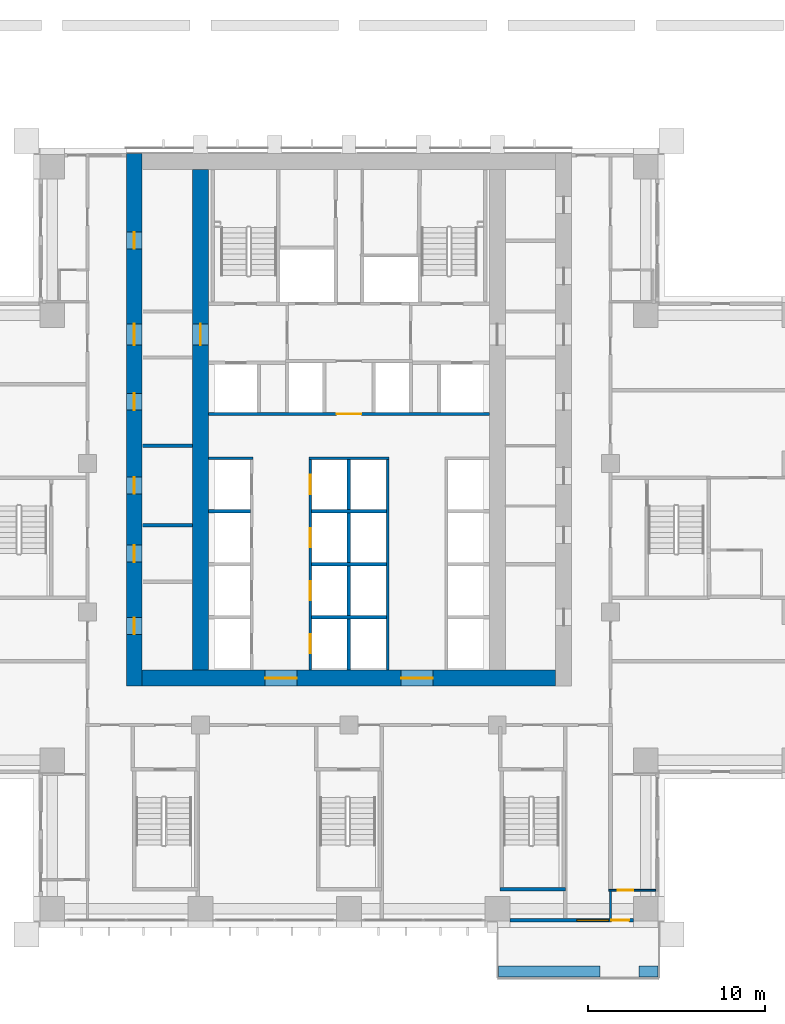
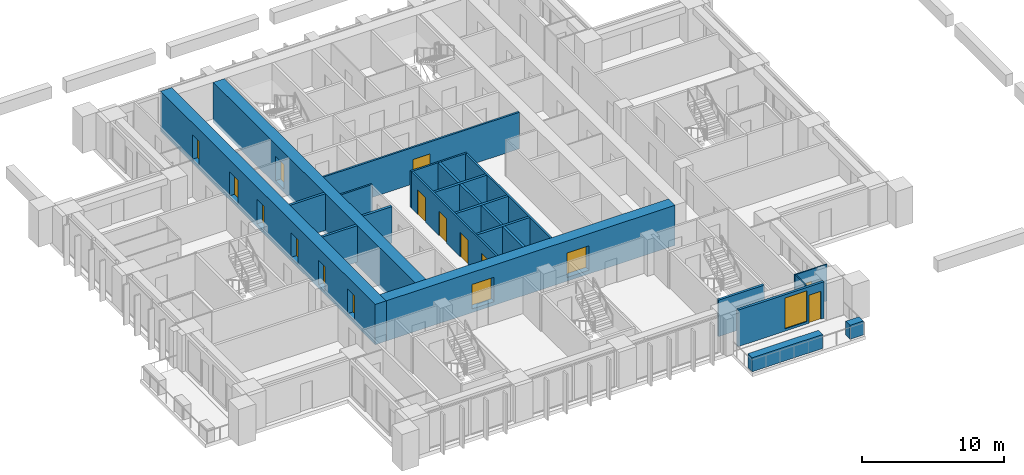
# One storey, part 9 of 18: 21 walls, 16 doors, 1 window, 17 openings.
"""IFC4 building model written with IfcOpenShell, lengths in metres."""

from ifc_helpers import new_model, si_unit, direction, frame, frame_2d, origin, place, context, subcontext, project, spatial, rectangle, extrude, material, layer, layer_set, type_object, element, fill, save


model = new_model("IFC4")

# Units and contexts
model_context = context("Model", 3, precision=1e-05, world=origin(), true_north=direction((0.0, 1.0)))
body_context = subcontext(model_context, "Body", "Model", "MODEL_VIEW")
ifc_project = project(units=[si_unit("LENGTHUNIT", "METRE"), si_unit("AREAUNIT", "SQUARE_METRE"), si_unit("VOLUMEUNIT", "CUBIC_METRE"), si_unit("PLANEANGLEUNIT", "RADIAN"), si_unit("MASSUNIT", "GRAM", prefix="KILO")], contexts=[model_context])

# Site, building, storey
site_placement = place(None, origin())
site = spatial("IfcSite", under=ifc_project, at=site_placement, CompositionType="ELEMENT")
building_placement = place(site_placement, origin())
building = spatial("IfcBuilding", under=site, at=building_placement, Name="Vermilion Ogive Tower", CompositionType="ELEMENT")
storey_placement = place(building_placement, frame((0.0, 0.0, 34.5)))
storey = spatial("IfcBuildingStorey", under=building, at=storey_placement, Name="L06", CompositionType="ELEMENT", Elevation=34.5)

# Wall, openings, doors
ifc_material_1 = material(Name="Concrete B80", Category="concrete")
ifc_layer_1 = layer(ifc_material_1, 0.89990234375)
ifc_layer_set_1 = layer_set([ifc_layer_1], Name="Core wall 900 B80")
wall_type_1 = type_object("IfcWallType", Name="Core wall 900 B80", PredefinedType="SHEAR", material=ifc_layer_set_1)
wall_1_placement = place(storey_placement, frame((-12.14990234375, -8.39990234375, -0.320068359375), z_axis=(0.0, 0.0, 1.0), x_axis=(0.0, 1.0, 0.0)))
wall_1 = element("IfcWall", 1, at=wall_1_placement, inside=storey, type_object=wall_type_1, Name="L06-CORE-W", PredefinedType="SHEAR", context=body_context, shape_type="SweptSolid", body=[
    extrude(rectangle(XDim=30.14990234375, YDim=0.89990234375, at=frame_2d((15.074951171875, 0.0))), origin(), (0.0, 0.0, 1.0), 3.449951171875),
])
opening_1_placement = place(wall_1_placement, frame((2.925048828125, 0.0, 0.320068359375)))
opening_1 = element("IfcOpeningElement", 2, at=opening_1_placement, cuts=wall_1, Name="Opening DAD001", PredefinedType="OPENING", context=body_context, shape_type="SweptSolid", body=[
    extrude(rectangle(XDim=0.949951171875, YDim=2.10009765625, at=frame_2d((0.47509765625, 1.050048828125))), frame((0.0, 0.4599609375, 0.0), z_axis=(0.0, -1.0, 0.0), x_axis=(1.0, 0.0, 0.0)), (0.0, 0.0, 1.0), 0.919921875),
])
opening_2_placement = place(wall_1_placement, frame((7.02490234375, 0.0, 0.320068359375)))
opening_2 = element("IfcOpeningElement", 3, at=opening_2_placement, cuts=wall_1, Name="Opening DAD002", PredefinedType="OPENING", context=body_context, shape_type="SweptSolid", body=[
    extrude(rectangle(XDim=0.949951171875, YDim=2.10009765625, at=frame_2d((0.47509765625, 1.050048828125))), frame((0.0, 0.4599609375, 0.0), z_axis=(0.0, -1.0, 0.0), x_axis=(1.0, 0.0, 0.0)), (0.0, 0.0, 1.0), 0.919921875),
])
opening_3_placement = place(wall_1_placement, frame((10.875, 0.0, 0.320068359375)))
opening_3 = element("IfcOpeningElement", 4, at=opening_3_placement, cuts=wall_1, Name="Opening DAD003", PredefinedType="OPENING", context=body_context, shape_type="SweptSolid", body=[
    extrude(rectangle(XDim=0.949951171875, YDim=2.10009765625, at=frame_2d((0.47509765625, 1.050048828125))), frame((0.0, 0.4599609375, 0.0), z_axis=(0.0, -1.0, 0.0), x_axis=(1.0, 0.0, 0.0)), (0.0, 0.0, 1.0), 0.919921875),
])
opening_4_placement = place(wall_1_placement, frame((15.625, 0.0, 0.320068359375)))
opening_4 = element("IfcOpeningElement", 5, at=opening_4_placement, cuts=wall_1, Name="Opening DAD004", PredefinedType="OPENING", context=body_context, shape_type="SweptSolid", body=[
    extrude(rectangle(XDim=0.949951171875, YDim=2.10009765625, at=frame_2d((0.47509765625, 1.050048828125))), frame((0.0, 0.4599609375, 0.0), z_axis=(0.0, -1.0, 0.0), x_axis=(1.0, 0.0, 0.0)), (0.0, 0.0, 1.0), 0.919921875),
])
opening_5_placement = place(wall_1_placement, frame((24.75, 0.0, 0.320068359375)))
opening_5 = element("IfcOpeningElement", 6, at=opening_5_placement, cuts=wall_1, Name="Opening DAD005", PredefinedType="OPENING", context=body_context, shape_type="SweptSolid", body=[
    extrude(rectangle(XDim=0.949951171875, YDim=2.10009765625, at=frame_2d((0.47509765625, 1.050048828125))), frame((0.0, 0.4599609375, 0.0), z_axis=(0.0, -1.0, 0.0), x_axis=(1.0, 0.0, 0.0)), (0.0, 0.0, 1.0), 0.919921875),
])
opening_6_placement = place(wall_1_placement, frame((19.300048828125, 0.0, 0.320068359375)))
opening_6 = element("IfcOpeningElement", 7, at=opening_6_placement, cuts=wall_1, Name="Opening DAM001", PredefinedType="OPENING", context=body_context, shape_type="SweptSolid", body=[
    extrude(rectangle(XDim=1.199951171875, YDim=2.10009765625, at=frame_2d((0.60009765625, 1.050048828125))), frame((0.0, 0.4599609375, 0.0), z_axis=(0.0, -1.0, 0.0), x_axis=(1.0, 0.0, 0.0)), (0.0, 0.0, 1.0), 0.919921875),
])
ifc_material_2 = material(Name="Timber door leaf", Category="wood")
door_type_1 = type_object("IfcDoorType", Name="Link door 1200 x 2100 FD60S", OperationType="SINGLE_SWING_LEFT", PredefinedType="DOOR", material=ifc_material_2)
door_1_placement = place(opening_6_placement, origin())
door_1 = element("IfcDoor", 8, at=door_1_placement, inside=storey, type_object=door_type_1, Name="L06-CKW-XL", OperationType="SINGLE_SWING_LEFT", OverallHeight=2.10009765625, OverallWidth=1.199951171875, PredefinedType="DOOR", context=body_context, shape_type="SweptSolid", body=[
    extrude(rectangle(XDim=1.199951171875, YDim=2.10009765625, at=frame_2d((0.60009765625, 1.050048828125))), frame((0.0, 0.02490234375, 0.0), z_axis=(0.0, -1.0, 0.0), x_axis=(1.0, 0.0, 0.0)), (0.0, 0.0, 1.0), 0.050048828125),
])
fill(opening_6, door_1)
ifc_material_3 = material(Name="Timber door leaf", Category="wood")
door_type_2 = type_object("IfcDoorType", Name="Service door 950 x 2100 FD60", OperationType="SINGLE_SWING_LEFT", PredefinedType="DOOR", material=ifc_material_3)
door_2_placement = place(opening_1_placement, origin())
door_2 = element("IfcDoor", 9, at=door_2_placement, inside=storey, type_object=door_type_2, Name="L06-CKW-XR0", OperationType="SINGLE_SWING_LEFT", OverallHeight=2.10009765625, OverallWidth=0.949951171875, PredefinedType="DOOR", context=body_context, shape_type="SweptSolid", body=[
    extrude(rectangle(XDim=0.949951171875, YDim=2.10009765625, at=frame_2d((0.47509765625, 1.050048828125))), frame((0.0, 0.02490234375, 0.0), z_axis=(0.0, -1.0, 0.0), x_axis=(1.0, 0.0, 0.0)), (0.0, 0.0, 1.0), 0.050048828125),
])
fill(opening_1, door_2)
door_3_placement = place(opening_2_placement, origin())
door_3 = element("IfcDoor", 10, at=door_3_placement, inside=storey, type_object=door_type_2, Name="L06-CKW-XR1", OperationType="SINGLE_SWING_LEFT", OverallHeight=2.10009765625, OverallWidth=0.949951171875, PredefinedType="DOOR", context=body_context, shape_type="SweptSolid", body=[
    extrude(rectangle(XDim=0.949951171875, YDim=2.10009765625, at=frame_2d((0.47509765625, 1.050048828125))), frame((0.0, 0.02490234375, 0.0), z_axis=(0.0, -1.0, 0.0), x_axis=(1.0, 0.0, 0.0)), (0.0, 0.0, 1.0), 0.050048828125),
])
fill(opening_2, door_3)
door_4_placement = place(opening_3_placement, origin())
door_4 = element("IfcDoor", 11, at=door_4_placement, inside=storey, type_object=door_type_2, Name="L06-CKW-XR2", OperationType="SINGLE_SWING_LEFT", OverallHeight=2.10009765625, OverallWidth=0.949951171875, PredefinedType="DOOR", context=body_context, shape_type="SweptSolid", body=[
    extrude(rectangle(XDim=0.949951171875, YDim=2.10009765625, at=frame_2d((0.47509765625, 1.050048828125))), frame((0.0, 0.02490234375, 0.0), z_axis=(0.0, -1.0, 0.0), x_axis=(1.0, 0.0, 0.0)), (0.0, 0.0, 1.0), 0.050048828125),
])
fill(opening_3, door_4)
door_5_placement = place(opening_4_placement, origin())
door_5 = element("IfcDoor", 12, at=door_5_placement, inside=storey, type_object=door_type_2, Name="L06-CKW-XR3", OperationType="SINGLE_SWING_LEFT", OverallHeight=2.10009765625, OverallWidth=0.949951171875, PredefinedType="DOOR", context=body_context, shape_type="SweptSolid", body=[
    extrude(rectangle(XDim=0.949951171875, YDim=2.10009765625, at=frame_2d((0.47509765625, 1.050048828125))), frame((0.0, 0.02490234375, 0.0), z_axis=(0.0, -1.0, 0.0), x_axis=(1.0, 0.0, 0.0)), (0.0, 0.0, 1.0), 0.050048828125),
])
fill(opening_4, door_5)
door_6_placement = place(opening_5_placement, origin())
door_6 = element("IfcDoor", 13, at=door_6_placement, inside=storey, type_object=door_type_2, Name="L06-CKW-XR4", OperationType="SINGLE_SWING_LEFT", OverallHeight=2.10009765625, OverallWidth=0.949951171875, PredefinedType="DOOR", context=body_context, shape_type="SweptSolid", body=[
    extrude(rectangle(XDim=0.949951171875, YDim=2.10009765625, at=frame_2d((0.47509765625, 1.050048828125))), frame((0.0, 0.02490234375, 0.0), z_axis=(0.0, -1.0, 0.0), x_axis=(1.0, 0.0, 0.0)), (0.0, 0.0, 1.0), 0.050048828125),
])
fill(opening_5, door_6)

wall_2_placement = place(storey_placement, frame((-11.699951171875, -7.949951171875, -0.320068359375), z_axis=(0.0, 0.0, 1.0), x_axis=(1.0, 0.0, 0.0)))
wall_2 = element("IfcWall", 14, at=wall_2_placement, inside=storey, type_object=wall_type_1, Name="L06-CORE-S", PredefinedType="SHEAR", context=body_context, shape_type="SweptSolid", body=[
    extrude(rectangle(XDim=23.39990234375, YDim=0.89990234375, at=frame_2d((11.699951171875, 0.0))), origin(), (0.0, 0.0, 1.0), 3.449951171875),
])
opening_7_placement = place(wall_2_placement, frame((6.949951171875, 0.0, 0.320068359375)))
opening_7 = element("IfcOpeningElement", 15, at=opening_7_placement, cuts=wall_2, Name="Opening DAH001", PredefinedType="OPENING", context=body_context, shape_type="SweptSolid", body=[
    extrude(rectangle(XDim=1.800048828125, YDim=2.10009765625, at=frame_2d((0.89990234375, 1.050048828125))), frame((0.0, 0.4599609375, 0.0), z_axis=(0.0, -1.0, 0.0), x_axis=(1.0, 0.0, 0.0)), (0.0, 0.0, 1.0), 0.919921875),
])
opening_8_placement = place(wall_2_placement, frame((14.64990234375, 0.0, 0.320068359375)))
opening_8 = element("IfcOpeningElement", 16, at=opening_8_placement, cuts=wall_2, Name="Opening DAH002", PredefinedType="OPENING", context=body_context, shape_type="SweptSolid", body=[
    extrude(rectangle(XDim=1.800048828125, YDim=2.10009765625, at=frame_2d((0.89990234375, 1.050048828125))), frame((0.0, 0.4599609375, 0.0), z_axis=(0.0, -1.0, 0.0), x_axis=(1.0, 0.0, 0.0)), (0.0, 0.0, 1.0), 0.919921875),
])
ifc_material_4 = material(Name="Timber door leaf", Category="wood")
door_type_3 = type_object("IfcDoorType", Name="Core entry door 1800 x 2100 FD60S", OperationType="DOUBLE_DOOR_SINGLE_SWING", PredefinedType="DOOR", material=ifc_material_4)
door_7_placement = place(opening_7_placement, origin())
door_7 = element("IfcDoor", 17, at=door_7_placement, inside=storey, type_object=door_type_3, Name="L06-CK-XD1", OperationType="SINGLE_SWING_LEFT", OverallHeight=2.10009765625, OverallWidth=1.800048828125, PredefinedType="DOOR", context=body_context, shape_type="SweptSolid", body=[
    extrude(rectangle(XDim=1.800048828125, YDim=2.10009765625, at=frame_2d((0.89990234375, 1.050048828125))), frame((0.0, 0.02490234375, 0.0), z_axis=(0.0, -1.0, 0.0), x_axis=(1.0, 0.0, 0.0)), (0.0, 0.0, 1.0), 0.050048828125),
])
fill(opening_7, door_7)
door_8_placement = place(opening_8_placement, origin())
door_8 = element("IfcDoor", 18, at=door_8_placement, inside=storey, type_object=door_type_3, Name="L06-CK-XD2", OperationType="SINGLE_SWING_LEFT", OverallHeight=2.10009765625, OverallWidth=1.800048828125, PredefinedType="DOOR", context=body_context, shape_type="SweptSolid", body=[
    extrude(rectangle(XDim=1.800048828125, YDim=2.10009765625, at=frame_2d((0.89990234375, 1.050048828125))), frame((0.0, 0.02490234375, 0.0), z_axis=(0.0, -1.0, 0.0), x_axis=(1.0, 0.0, 0.0)), (0.0, 0.0, 1.0), 0.050048828125),
])
fill(opening_8, door_8)

# Wall, opening, door
wall_3_placement = place(storey_placement, frame((-8.39990234375, -7.5, -0.320068359375), z_axis=(0.0, 0.0, 1.0), x_axis=(0.0, 1.0, 0.0)))
wall_3 = element("IfcWall", 19, at=wall_3_placement, inside=storey, type_object=wall_type_1, Name="L06-CORE-WEB1", PredefinedType="SHEAR", context=body_context, shape_type="SweptSolid", body=[
    extrude(rectangle(XDim=28.35009765625, YDim=0.89990234375, at=frame_2d((14.175048828125, 0.0))), origin(), (0.0, 0.0, 1.0), 3.449951171875),
])
opening_9_placement = place(wall_3_placement, frame((18.39990234375, 0.0, 0.320068359375)))
opening_9 = element("IfcOpeningElement", 20, at=opening_9_placement, cuts=wall_3, Name="Opening DAP001", PredefinedType="OPENING", context=body_context, shape_type="SweptSolid", body=[
    extrude(rectangle(XDim=1.199951171875, YDim=2.10009765625, at=frame_2d((0.60009765625, 1.050048828125))), frame((0.0, 0.4599609375, 0.0), z_axis=(0.0, -1.0, 0.0), x_axis=(1.0, 0.0, 0.0)), (0.0, 0.0, 1.0), 0.919921875),
])
door_9_placement = place(opening_9_placement, origin())
door_9 = element("IfcDoor", 21, at=door_9_placement, inside=storey, type_object=door_type_1, Name="L06-CKW-XW", OperationType="SINGLE_SWING_LEFT", OverallHeight=2.10009765625, OverallWidth=1.199951171875, PredefinedType="DOOR", context=body_context, shape_type="SweptSolid", body=[
    extrude(rectangle(XDim=1.199951171875, YDim=2.10009765625, at=frame_2d((0.60009765625, 1.050048828125))), frame((0.0, 0.02490234375, 0.0), z_axis=(0.0, -1.0, 0.0), x_axis=(1.0, 0.0, 0.0)), (0.0, 0.0, 1.0), 0.050048828125),
])
fill(opening_9, door_9)

ifc_material_5 = material(Name="Gypsum board partition on steel studs", Category="steel")
ifc_layer_2 = layer(ifc_material_5, 0.10009765625)
ifc_layer_set_2 = layer_set([ifc_layer_2], Name="Partition 100 bath")
wall_type_2 = type_object("IfcWallType", Name="Partition 100 bath", PredefinedType="PARTITIONING", material=ifc_layer_set_2)
wall_4_placement = place(storey_placement, frame((14.699951171875, -19.949951171875, 0.0), z_axis=(0.0, 0.0, 1.0), x_axis=(1.0, 0.0, 0.0)))
wall_4 = element("IfcWall", 22, at=wall_4_placement, inside=storey, type_object=wall_type_2, Name="L06-W-W001", PredefinedType="PARTITIONING", context=body_context, shape_type="SweptSolid", body=[
    extrude(rectangle(XDim=2.650146484375, YDim=0.10009765625, at=frame_2d((1.3251953125, 0.0))), origin(), (0.0, 0.0, 1.0), 3.1298828125),
])
opening_10_placement = place(wall_4_placement, frame((0.525146484375, 0.0, 0.0)))
opening_10 = element("IfcOpeningElement", 23, at=opening_10_placement, cuts=wall_4, Name="Opening D1G1016", PredefinedType="OPENING", context=body_context, shape_type="SweptSolid", body=[
    extrude(rectangle(XDim=0.85009765625, YDim=2.10009765625, at=frame_2d((0.425048828125, 1.050048828125))), frame((0.0, 0.06005859375, 0.0), z_axis=(0.0, -1.0, 0.0), x_axis=(1.0, 0.0, 0.0)), (0.0, 0.0, 1.0), 0.1201171875),
])
ifc_material_6 = material(Name="Timber door leaf", Category="wood")
door_type_4 = type_object("IfcDoorType", Name="Bath door 850 x 2100 FD30", OperationType="SINGLE_SWING_LEFT", PredefinedType="DOOR", material=ifc_material_6)
door_10_placement = place(opening_10_placement, origin())
door_10 = element("IfcDoor", 24, at=door_10_placement, inside=storey, type_object=door_type_4, Name="L06-D-D016", OperationType="SINGLE_SWING_LEFT", OverallHeight=2.10009765625, OverallWidth=0.85009765625, PredefinedType="DOOR", context=body_context, shape_type="SweptSolid", body=[
    extrude(rectangle(XDim=0.85009765625, YDim=2.10009765625, at=frame_2d((0.425048828125, 1.050048828125))), frame((0.0, 0.02490234375, 0.0), z_axis=(0.0, -1.0, 0.0), x_axis=(1.0, 0.0, 0.0)), (0.0, 0.0, 1.0), 0.050048828125),
])
fill(opening_10, door_10)

# Walls
wall_5_placement = place(storey_placement, frame((14.800048828125, -21.550048828125, 0.0), z_axis=(0.0, 0.0, 1.0), x_axis=(0.0, 1.0, 0.0)))
element("IfcWall", 25, at=wall_5_placement, inside=storey, type_object=wall_type_2, Name="L06-W-W057", PredefinedType="PARTITIONING", context=body_context, shape_type="SweptSolid", body=[
    extrude(rectangle(XDim=1.550048828125, YDim=0.10009765625, at=frame_2d((0.77490234375, 0.0))), origin(), (0.0, 0.0, 1.0), 3.1298828125),
])
ifc_material_7 = material(Name="Gypsum board partition on steel studs", Category="steel")
ifc_layer_3 = layer(ifc_material_7, 0.14990234375)
ifc_layer_set_3 = layer_set([ifc_layer_3], Name="Partition 150 corridor")
wall_type_3 = type_object("IfcWallType", Name="Partition 150 corridor", PredefinedType="PARTITIONING", material=ifc_layer_set_3)
wall_6_placement = place(storey_placement, frame((-7.948974609375, 4.5, 0.0), z_axis=(0.0, 0.0, 1.0), x_axis=(1.0, 0.0, 0.0)))
element("IfcWall", 26, at=wall_6_placement, inside=storey, type_object=wall_type_3, Name="L06-CK-W-W010", PredefinedType="PARTITIONING", context=body_context, shape_type="SweptSolid", body=[
    extrude(rectangle(XDim=2.52392578125, YDim=0.14990234375, at=frame_2d((1.261962890625, 0.0))), origin(), (0.0, 0.0, 1.0), 3.1298828125),
])
wall_7_placement = place(storey_placement, frame((-2.27490234375, 4.5, 0.0), z_axis=(0.0, 0.0, 1.0), x_axis=(1.0, 0.0, 0.0)))
element("IfcWall", 27, at=wall_7_placement, inside=storey, type_object=wall_type_3, Name="L06-CK-W-W011", PredefinedType="PARTITIONING", context=body_context, shape_type="SweptSolid", body=[
    extrude(rectangle(XDim=4.5498046875, YDim=0.14990234375, at=frame_2d((2.27490234375, 0.0))), origin(), (0.0, 0.0, 1.0), 3.1298828125),
])

# Wall, opening, door
wall_8_placement = place(storey_placement, frame((-7.948974609375, 7.0, 0.0), z_axis=(0.0, 0.0, 1.0), x_axis=(1.0, 0.0, 0.0)))
wall_8 = element("IfcWall", 28, at=wall_8_placement, inside=storey, type_object=wall_type_3, Name="L06-CK-W-W013", PredefinedType="PARTITIONING", context=body_context, shape_type="SweptSolid", body=[
    extrude(rectangle(XDim=15.89794921875, YDim=0.14990234375, at=frame_2d((7.948974609375, 0.0))), origin(), (0.0, 0.0, 1.0), 3.1298828125),
])
opening_11_placement = place(wall_8_placement, frame((7.2490234375, 0.0, 0.0)))
opening_11 = element("IfcOpeningElement", 29, at=opening_11_placement, cuts=wall_8, Name="Opening DAA003", PredefinedType="OPENING", context=body_context, shape_type="SweptSolid", body=[
    extrude(rectangle(XDim=1.39990234375, YDim=2.10009765625, at=frame_2d((0.699951171875, 1.050048828125))), frame((0.0, 0.0849609375, 0.0), z_axis=(0.0, -1.0, 0.0), x_axis=(1.0, 0.0, 0.0)), (0.0, 0.0, 1.0), 0.169921875),
])
ifc_material_8 = material(Name="Timber door leaf", Category="wood")
door_type_5 = type_object("IfcDoorType", Name="Lobby door 1400 x 2100 FD60S", OperationType="SINGLE_SWING_LEFT", PredefinedType="DOOR", material=ifc_material_8)
door_11_placement = place(opening_11_placement, origin())
door_11 = element("IfcDoor", 30, at=door_11_placement, inside=storey, type_object=door_type_5, Name="L06-CK-D-D013", OperationType="SINGLE_SWING_RIGHT", OverallHeight=2.10009765625, OverallWidth=1.39990234375, PredefinedType="DOOR", context=body_context, shape_type="SweptSolid", body=[
    extrude(rectangle(XDim=1.39990234375, YDim=2.10009765625, at=frame_2d((0.699951171875, 1.050048828125))), frame((0.0, 0.02490234375, 0.0), z_axis=(0.0, -1.0, 0.0), x_axis=(1.0, 0.0, 0.0)), (0.0, 0.0, 1.0), 0.050048828125),
])
fill(opening_11, door_11)

# Wall, openings, doors
wall_9_placement = place(storey_placement, frame((-2.199951171875, -7.4990234375, 0.0), z_axis=(0.0, 0.0, 1.0), x_axis=(0.0, 1.0, 0.0)))
wall_9 = element("IfcWall", 31, at=wall_9_placement, inside=storey, type_object=wall_type_3, Name="L06-CK-W-W027", PredefinedType="PARTITIONING", context=body_context, shape_type="SweptSolid", body=[
    extrude(rectangle(XDim=11.924072265625, YDim=0.14990234375, at=frame_2d((5.9619140625, 0.0))), origin(), (0.0, 0.0, 1.0), 3.1298828125),
])
opening_12_placement = place(wall_9_placement, frame((0.948974609375, 0.0, 0.0)))
opening_12 = element("IfcOpeningElement", 32, at=opening_12_placement, cuts=wall_9, Name="Opening DAA016", PredefinedType="OPENING", context=body_context, shape_type="SweptSolid", body=[
    extrude(rectangle(XDim=1.10009765625, YDim=2.10009765625, at=frame_2d((0.550048828125, 1.050048828125))), frame((0.0, 0.0849609375, 0.0), z_axis=(0.0, -1.0, 0.0), x_axis=(1.0, 0.0, 0.0)), (0.0, 0.0, 1.0), 0.169921875),
])
opening_13_placement = place(wall_9_placement, frame((3.948974609375, 0.0, 0.0)))
opening_13 = element("IfcOpeningElement", 33, at=opening_13_placement, cuts=wall_9, Name="Opening DAA017", PredefinedType="OPENING", context=body_context, shape_type="SweptSolid", body=[
    extrude(rectangle(XDim=1.10009765625, YDim=2.10009765625, at=frame_2d((0.550048828125, 1.050048828125))), frame((0.0, 0.0849609375, 0.0), z_axis=(0.0, -1.0, 0.0), x_axis=(1.0, 0.0, 0.0)), (0.0, 0.0, 1.0), 0.169921875),
])
opening_14_placement = place(wall_9_placement, frame((6.948974609375, 0.0, 0.0)))
opening_14 = element("IfcOpeningElement", 34, at=opening_14_placement, cuts=wall_9, Name="Opening DAA018", PredefinedType="OPENING", context=body_context, shape_type="SweptSolid", body=[
    extrude(rectangle(XDim=1.10009765625, YDim=2.10009765625, at=frame_2d((0.550048828125, 1.050048828125))), frame((0.0, 0.0849609375, 0.0), z_axis=(0.0, -1.0, 0.0), x_axis=(1.0, 0.0, 0.0)), (0.0, 0.0, 1.0), 0.169921875),
])
opening_15_placement = place(wall_9_placement, frame((9.948974609375, 0.0, 0.0)))
opening_15 = element("IfcOpeningElement", 35, at=opening_15_placement, cuts=wall_9, Name="Opening DAA019", PredefinedType="OPENING", context=body_context, shape_type="SweptSolid", body=[
    extrude(rectangle(XDim=1.10009765625, YDim=2.10009765625, at=frame_2d((0.550048828125, 1.050048828125))), frame((0.0, 0.0849609375, 0.0), z_axis=(0.0, -1.0, 0.0), x_axis=(1.0, 0.0, 0.0)), (0.0, 0.0, 1.0), 0.169921875),
])
ifc_material_9 = material(Name="Stainless steel", Category="steel")
door_type_6 = type_object("IfcDoorType", Name="Lift landing door 1100 x 2100", OperationType="SLIDING_TO_LEFT", PredefinedType="DOOR", material=ifc_material_9)
door_12_placement = place(opening_12_placement, origin())
door_12 = element("IfcDoor", 36, at=door_12_placement, inside=storey, type_object=door_type_6, Name="L06-CK-D-D005", OperationType="SLIDING_TO_RIGHT", OverallHeight=2.10009765625, OverallWidth=1.10009765625, PredefinedType="DOOR", context=body_context, shape_type="SweptSolid", body=[
    extrude(rectangle(XDim=1.10009765625, YDim=2.10009765625, at=frame_2d((0.550048828125, 1.050048828125))), frame((0.0, 0.02490234375, 0.0), z_axis=(0.0, -1.0, 0.0), x_axis=(1.0, 0.0, 0.0)), (0.0, 0.0, 1.0), 0.050048828125),
])
fill(opening_12, door_12)
door_13_placement = place(opening_13_placement, origin())
door_13 = element("IfcDoor", 37, at=door_13_placement, inside=storey, type_object=door_type_6, Name="L06-CK-D-D006", OperationType="SLIDING_TO_RIGHT", OverallHeight=2.10009765625, OverallWidth=1.10009765625, PredefinedType="DOOR", context=body_context, shape_type="SweptSolid", body=[
    extrude(rectangle(XDim=1.10009765625, YDim=2.10009765625, at=frame_2d((0.550048828125, 1.050048828125))), frame((0.0, 0.02490234375, 0.0), z_axis=(0.0, -1.0, 0.0), x_axis=(1.0, 0.0, 0.0)), (0.0, 0.0, 1.0), 0.050048828125),
])
fill(opening_13, door_13)
door_14_placement = place(opening_14_placement, origin())
door_14 = element("IfcDoor", 38, at=door_14_placement, inside=storey, type_object=door_type_6, Name="L06-CK-D-D007", OperationType="SLIDING_TO_RIGHT", OverallHeight=2.10009765625, OverallWidth=1.10009765625, PredefinedType="DOOR", context=body_context, shape_type="SweptSolid", body=[
    extrude(rectangle(XDim=1.10009765625, YDim=2.10009765625, at=frame_2d((0.550048828125, 1.050048828125))), frame((0.0, 0.02490234375, 0.0), z_axis=(0.0, -1.0, 0.0), x_axis=(1.0, 0.0, 0.0)), (0.0, 0.0, 1.0), 0.050048828125),
])
fill(opening_14, door_14)
door_15_placement = place(opening_15_placement, origin())
door_15 = element("IfcDoor", 39, at=door_15_placement, inside=storey, type_object=door_type_6, Name="L06-CK-D-D008", OperationType="SLIDING_TO_RIGHT", OverallHeight=2.10009765625, OverallWidth=1.10009765625, PredefinedType="DOOR", context=body_context, shape_type="SweptSolid", body=[
    extrude(rectangle(XDim=1.10009765625, YDim=2.10009765625, at=frame_2d((0.550048828125, 1.050048828125))), frame((0.0, 0.02490234375, 0.0), z_axis=(0.0, -1.0, 0.0), x_axis=(1.0, 0.0, 0.0)), (0.0, 0.0, 1.0), 0.050048828125),
])
fill(opening_15, door_15)

# Walls
wall_10_placement = place(storey_placement, frame((2.199951171875, -7.4990234375, 0.0), z_axis=(0.0, 0.0, 1.0), x_axis=(0.0, 1.0, 0.0)))
element("IfcWall", 40, at=wall_10_placement, inside=storey, type_object=wall_type_3, Name="L06-CK-W-W034", PredefinedType="PARTITIONING", context=body_context, shape_type="SweptSolid", body=[
    extrude(rectangle(XDim=11.924072265625, YDim=0.14990234375, at=frame_2d((5.9619140625, 0.0))), origin(), (0.0, 0.0, 1.0), 3.1298828125),
])
ifc_material_10 = material(Name="Gypsum board partition on steel studs", Category="steel")
ifc_layer_4 = layer(ifc_material_10, 0.199951171875)
ifc_layer_set_4 = layer_set([ifc_layer_4], Name="Partition 200 party")
wall_type_4 = type_object("IfcWallType", Name="Partition 200 party", PredefinedType="PARTITIONING", material=ifc_layer_set_4)
for number, where, z_axis, x_axis, name in (
    (41, (-2.125, -4.5, 0.0), (0.0, 0.0, 1.0), (1.0, 0.0, 0.0), "L06-CK-W-W002"),
    (42, (-2.125, -1.5, 0.0), (0.0, 0.0, 1.0), (1.0, 0.0, 0.0), "L06-CK-W-W005"),
):
    element("IfcWall", number, at=place(storey_placement, frame(where, z_axis=z_axis, x_axis=x_axis)), inside=storey, type_object=wall_type_4, Name=name, PredefinedType="PARTITIONING", context=body_context, shape_type="SweptSolid", body=[
        extrude(rectangle(XDim=4.25, YDim=0.199951171875, at=frame_2d((2.125, 0.0))), origin(), (0.0, 0.0, 1.0), 3.1298828125),
    ])
wall_11_placement = place(storey_placement, frame((-7.948974609375, 1.5, 0.0), z_axis=(0.0, 0.0, 1.0), x_axis=(1.0, 0.0, 0.0)))
element("IfcWall", 43, at=wall_11_placement, inside=storey, type_object=wall_type_4, Name="L06-CK-W-W007", PredefinedType="PARTITIONING", context=body_context, shape_type="SweptSolid", body=[
    extrude(rectangle(XDim=2.3740234375, YDim=0.199951171875, at=frame_2d((1.18701171875, 0.0))), origin(), (0.0, 0.0, 1.0), 3.1298828125),
])
wall_12_placement = place(storey_placement, frame((-2.125, 1.5, 0.0), z_axis=(0.0, 0.0, 1.0), x_axis=(1.0, 0.0, 0.0)))
element("IfcWall", 44, at=wall_12_placement, inside=storey, type_object=wall_type_4, Name="L06-CK-W-W008", PredefinedType="PARTITIONING", context=body_context, shape_type="SweptSolid", body=[
    extrude(rectangle(XDim=4.25, YDim=0.199951171875, at=frame_2d((2.125, 0.0))), origin(), (0.0, 0.0, 1.0), 3.1298828125),
])
wall_13_placement = place(storey_placement, frame((0.0, -7.4990234375, 0.0), z_axis=(0.0, 0.0, 1.0), x_axis=(0.0, 1.0, 0.0)))
element("IfcWall", 45, at=wall_13_placement, inside=storey, type_object=wall_type_4, Name="L06-CK-W-W030", PredefinedType="PARTITIONING", context=body_context, shape_type="SweptSolid", body=[
    extrude(rectangle(XDim=11.924072265625, YDim=0.199951171875, at=frame_2d((5.9619140625, 0.0))), origin(), (0.0, 0.0, 1.0), 3.1298828125),
])
for number, where, z_axis, x_axis, name in (
    (46, (-11.698974609375, 0.699951171875, 0.0), (0.0, 0.0, 1.0), (1.0, 0.0, 0.0), "L06-CKW-W-W002"),
    (47, (-11.698974609375, 5.199951171875, 0.0), (0.0, 0.0, 1.0), (1.0, 0.0, 0.0), "L06-CKW-W-W003"),
):
    element("IfcWall", number, at=place(storey_placement, frame(where, z_axis=z_axis, x_axis=x_axis)), inside=storey, type_object=wall_type_4, Name=name, PredefinedType="PARTITIONING", context=body_context, shape_type="SweptSolid", body=[
        extrude(rectangle(XDim=2.847900390625, YDim=0.199951171875, at=frame_2d((1.423828125, 0.0))), origin(), (0.0, 0.0, 1.0), 3.1298828125),
    ])
ifc_material_11 = material(Name="Concrete B60", Category="concrete")
ifc_layer_5 = layer(ifc_material_11, 0.199951171875)
ifc_layer_set_5 = layer_set([ifc_layer_5], Name="Stair shaft wall 200 Concrete B60")
wall_type_5 = type_object("IfcWallType", Name="Stair shaft wall 200 Concrete B60", PredefinedType="SOLIDWALL", material=ifc_layer_set_5)
wall_14_placement = place(storey_placement, frame((8.552001953125, -19.89990234375, 0.0), z_axis=(0.0, 0.0, 1.0), x_axis=(1.0, 0.0, 0.0)))
element("IfcWall", 48, at=wall_14_placement, inside=storey, type_object=wall_type_5, Name="L06-W-W004", PredefinedType="SOLIDWALL", context=body_context, shape_type="SweptSolid", body=[
    extrude(rectangle(XDim=3.696044921875, YDim=0.199951171875, at=frame_2d((1.84814453125, 0.0))), origin(), (0.0, 0.0, 1.0), 3.1298828125),
])
ifc_material_12 = material(Name="Concrete B40", Category="concrete")
ifc_layer_6 = layer(ifc_material_12, 0.60009765625)
ifc_layer_set_6 = layer_set([ifc_layer_6], Name="Structural planter")
wall_type_6 = type_object("IfcWallType", Name="Structural planter", PredefinedType="USERDEFINED", material=ifc_layer_set_6)
wall_15_placement = place(storey_placement, frame((8.4599609375, -24.550048828125, -0.0400390625), z_axis=(0.0, 0.0, 1.0), x_axis=(1.0, 0.0, 0.0)))
element("IfcWall", 49, at=wall_15_placement, inside=storey, type_object=wall_type_6, Name="Planter S04A1", ObjectType="PLANTER", PredefinedType="USERDEFINED", context=body_context, shape_type="SweptSolid", body=[
    extrude(rectangle(XDim=5.739990234375, YDim=0.60009765625, at=frame_2d((2.8701171875, 0.0))), origin(), (0.0, 0.0, 1.0), 1.199951171875),
])
wall_16_placement = place(storey_placement, frame((16.39990234375, -24.550048828125, -0.0400390625), z_axis=(0.0, 0.0, 1.0), x_axis=(1.0, 0.0, 0.0)))
element("IfcWall", 50, at=wall_16_placement, inside=storey, type_object=wall_type_6, Name="Planter S04A2", ObjectType="PLANTER", PredefinedType="USERDEFINED", context=body_context, shape_type="SweptSolid", body=[
    extrude(rectangle(XDim=1.090087890625, YDim=0.60009765625, at=frame_2d((0.544921875, 0.0))), origin(), (0.0, 0.0, 1.0), 1.199951171875),
])

# Wall, openings, door, window
ifc_material_13 = material(Name="Aluminium window wall framing", Category="aluminium")
ifc_layer_7 = layer(ifc_material_13, 0.199951171875)
ifc_layer_set_7 = layer_set([ifc_layer_7], Name="Window wall")
wall_type_7 = type_object("IfcWallType", Name="Window wall", PredefinedType="STANDARD", material=ifc_layer_set_7)
wall_17_placement = place(storey_placement, frame((9.10009765625, -21.64990234375, 0.0), z_axis=(0.0, 0.0, 1.0), x_axis=(1.0, 0.0, 0.0)))
wall_17 = element("IfcWall", 51, at=wall_17_placement, inside=storey, type_object=wall_type_7, Name="Window wall S4", PredefinedType="STANDARD", context=body_context, shape_type="SweptSolid", body=[
    extrude(rectangle(XDim=7.0, YDim=0.199951171875, at=frame_2d((3.5, 0.0))), origin(), (0.0, 0.0, 1.0), 3.1298828125),
])
opening_16_placement = place(wall_17_placement, frame((3.800048828125, 0.0, 0.199951171875)))
opening_16 = element("IfcOpeningElement", 52, at=opening_16_placement, cuts=wall_17, Name="Opening W1-S03", PredefinedType="OPENING", context=body_context, shape_type="SweptSolid", body=[
    extrude(rectangle(XDim=1.800048828125, YDim=2.64990234375, at=frame_2d((0.89990234375, 1.324951171875))), frame((0.0, 0.10986328125, 0.0), z_axis=(0.0, -1.0, 0.0), x_axis=(1.0, 0.0, 0.0)), (0.0, 0.0, 1.0), 0.219970703125),
])
opening_17_placement = place(wall_17_placement, frame((5.75, 0.0, 0.0)))
opening_17 = element("IfcOpeningElement", 53, at=opening_17_placement, cuts=wall_17, Name="Opening D1-S03", PredefinedType="OPENING", context=body_context, shape_type="SweptSolid", body=[
    extrude(rectangle(XDim=1.0, YDim=2.39990234375, at=frame_2d((0.5, 1.199951171875))), frame((0.0, 0.10986328125, 0.0), z_axis=(0.0, -1.0, 0.0), x_axis=(1.0, 0.0, 0.0)), (0.0, 0.0, 1.0), 0.219970703125),
])
ifc_material_14 = material(Name="Aluminium framed glazed door", Category="aluminium")
door_type_7 = type_object("IfcDoorType", Name="Balcony door D1", OperationType="SINGLE_SWING_LEFT", PredefinedType="DOOR", material=ifc_material_14)
door_16_placement = place(opening_17_placement, origin())
door_16 = element("IfcDoor", 54, at=door_16_placement, inside=storey, type_object=door_type_7, Name="Balcony door S03", OperationType="SINGLE_SWING_LEFT", OverallHeight=2.39990234375, OverallWidth=1.0, PredefinedType="DOOR", context=body_context, shape_type="SweptSolid", body=[
    extrude(rectangle(XDim=1.0, YDim=2.39990234375, at=frame_2d((0.5, 1.199951171875))), frame((0.0, 0.02490234375, 0.0), z_axis=(0.0, -1.0, 0.0), x_axis=(1.0, 0.0, 0.0)), (0.0, 0.0, 1.0), 0.050048828125),
])
fill(opening_17, door_16)
ifc_material_15 = material(Name="Aluminium framed double glazing", Category="aluminium")
window_type = type_object("IfcWindowType", Name="Guest window W1", PartitioningType="SINGLE_PANEL", PredefinedType="WINDOW", material=ifc_material_15)
window_placement = place(opening_16_placement, origin())
window = element("IfcWindow", 55, at=window_placement, inside=storey, type_object=window_type, Name="Window S03", OverallHeight=2.64990234375, OverallWidth=1.800048828125, PartitioningType="SINGLE_PANEL", PredefinedType="WINDOW", context=body_context, shape_type="SweptSolid", body=[
    extrude(rectangle(XDim=1.800048828125, YDim=2.64990234375, at=frame_2d((0.89990234375, 1.324951171875))), frame((0.0, 0.030029296875, 0.0), z_axis=(0.0, -1.0, 0.0), x_axis=(1.0, 0.0, 0.0)), (0.0, 0.0, 1.0), 0.06005859375),
])
fill(opening_16, window)

save(model, "model.ifc")
